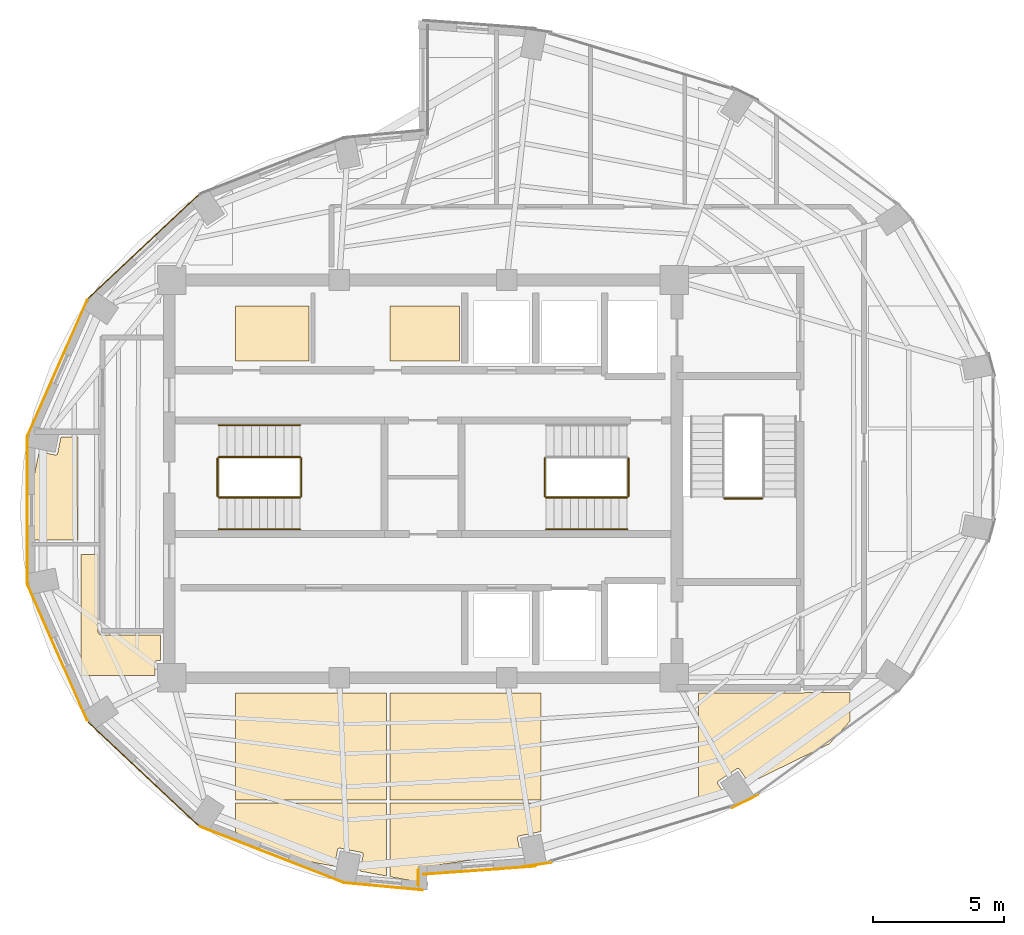
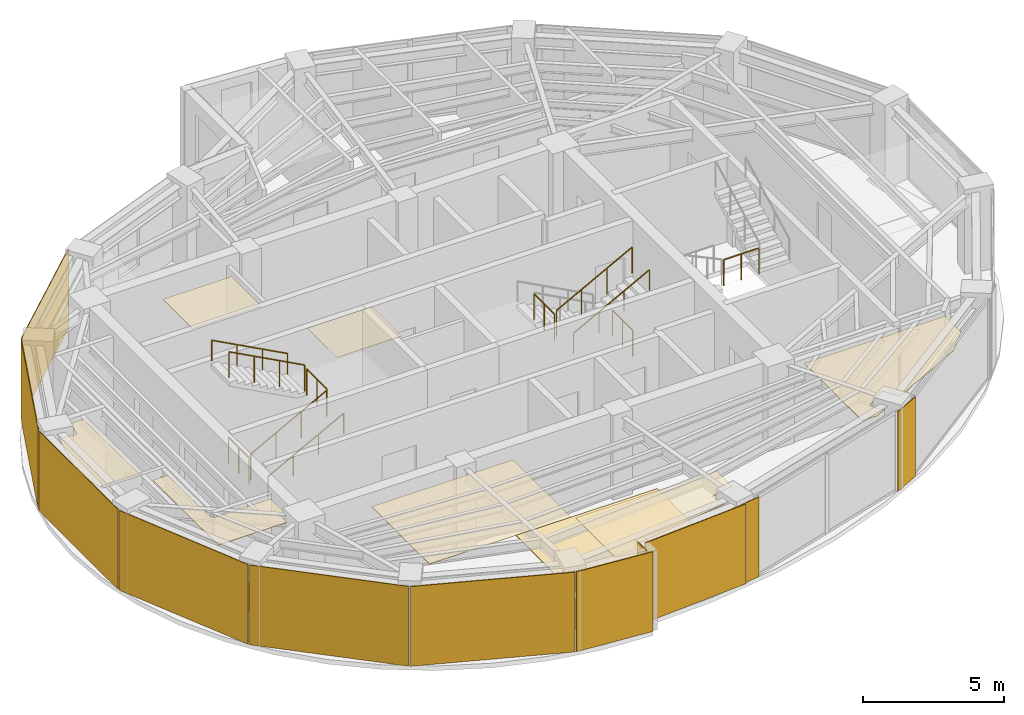
# One storey, part 12 of 13: 21 coverings, 11 railings.
"""IFC4 building model written with IfcOpenShell, lengths in metres."""

from ifc_helpers import new_model, si_unit, direction, frame, origin, origin_2d, place, context, subcontext, project, spatial, polyline, rectangle, circle, outline, extrude, material, layer, layer_set, type_object, element, save


model = new_model("IFC4")

# Units and contexts
model_context = context("Model", 3, precision=1e-05, world=origin(), true_north=direction((0.0, 1.0)))
body_context = subcontext(model_context, "Body", "Model", "MODEL_VIEW")
ifc_project = project(units=[si_unit("LENGTHUNIT", "METRE"), si_unit("AREAUNIT", "SQUARE_METRE"), si_unit("VOLUMEUNIT", "CUBIC_METRE"), si_unit("PLANEANGLEUNIT", "RADIAN"), si_unit("MASSUNIT", "GRAM", prefix="KILO")], contexts=[model_context])

# Site, building, storey
site_placement = place(None, origin())
site = spatial("IfcSite", under=ifc_project, at=site_placement, CompositionType="ELEMENT")
building_placement = place(site_placement, origin())
building = spatial("IfcBuilding", under=site, at=building_placement, Name="Lazwardi Medical Tower", CompositionType="ELEMENT")
storey_placement = place(building_placement, frame((0.0, 0.0, 295.152099609375)))
storey = spatial("IfcBuildingStorey", under=building, at=storey_placement, Name="L77", CompositionType="ELEMENT", Elevation=295.152099609375)

# Coverings
ifc_material_1 = material(Name="Anodised bronze aluminium cassette cladding", Category="aluminium")
ifc_layer_1 = layer(ifc_material_1, 0.030029296875)
ifc_layer_set_1 = layer_set([ifc_layer_1], Name="Anodised bronze aluminium cassette cladding")
covering_type_1 = type_object("IfcCoveringType", Name="COV-CLD-BRZ", PredefinedType="CLADDING", material=ifc_layer_set_1)
covering_1_placement = place(storey_placement, frame((40.3232421875, 13.25048828125, 0.0), z_axis=(0.0, 0.0, 1.0), x_axis=(0.989512431533, 0.144447733943, 0.0)))
element("IfcCovering", 1, at=covering_1_placement, inside=storey, type_object=covering_type_1, Name="L77 Mega-column bronze cassette cover M01", PredefinedType="CLADDING", context=body_context, shape_type="SweptSolid", body=[
    extrude(rectangle(XDim=1.188720703125, YDim=0.030029296875, at=origin_2d()), origin(), (0.0, 0.0, 1.0), 3.447998046875),
])
covering_2_placement = place(storey_placement, frame((48.311279296875, 15.6787109375, 0.0), z_axis=(0.0, 0.0, 1.0), x_axis=(0.897840141691, 0.440321564278, 0.0)))
element("IfcCovering", 2, at=covering_2_placement, inside=storey, type_object=covering_type_1, Name="L77 Mega-column bronze cassette cover M02", PredefinedType="CLADDING", context=body_context, shape_type="SweptSolid", body=[
    extrude(rectangle(XDim=1.110595703125, YDim=0.030029296875, at=origin_2d()), origin(), (0.0, 0.0, 1.0), 3.447998046875),
])
covering_3_placement = place(storey_placement, frame((25.31201171875, 36.870361328125, 0.0), z_axis=(0.0, 0.0, 1.0), x_axis=(-0.728254960063, -0.685306291481, 0.0)))
element("IfcCovering", 3, at=covering_3_placement, inside=storey, type_object=covering_type_1, Name="L77 West drum ceramic/bronze cladding", PredefinedType="CLADDING", context=body_context, shape_type="SweptSolid", body=[
    extrude(rectangle(XDim=5.78125, YDim=0.030029296875, at=origin_2d()), origin(), (0.0, 0.0, 1.0), 3.447998046875),
])
covering_4_placement = place(storey_placement, frame((22.032470703125, 32.25146484375, 0.0), z_axis=(0.0, 0.0, 1.0), x_axis=(-0.402877682365, -0.915253829848, 0.0)))
element("IfcCovering", 4, at=covering_4_placement, inside=storey, type_object=covering_type_1, Name="L77 West drum ceramic/bronze cladding", PredefinedType="CLADDING", context=body_context, shape_type="SweptSolid", body=[
    extrude(rectangle(XDim=5.65576171875, YDim=0.030029296875, at=origin_2d()), origin(), (0.0, 0.0, 1.0), 3.447998046875),
])
covering_5_placement = place(storey_placement, frame((20.880126953125, 26.800048828125, 0.0), z_axis=(0.0, 0.0, 1.0), x_axis=(0.0, -1.0, 0.0)))
element("IfcCovering", 5, at=covering_5_placement, inside=storey, type_object=covering_type_1, Name="L77 West drum ceramic/bronze cladding", PredefinedType="CLADDING", context=body_context, shape_type="SweptSolid", body=[
    extrude(rectangle(XDim=5.60302734375, YDim=0.030029296875, at=origin_2d()), origin(), (0.0, 0.0, 1.0), 3.447998046875),
])
covering_6_placement = place(storey_placement, frame((22.032470703125, 21.3486328125, 0.0), z_axis=(0.0, 0.0, 1.0), x_axis=(0.402877682365, -0.915253829848, 0.0)))
element("IfcCovering", 6, at=covering_6_placement, inside=storey, type_object=covering_type_1, Name="L77 West drum ceramic/bronze cladding", PredefinedType="CLADDING", context=body_context, shape_type="SweptSolid", body=[
    extrude(rectangle(XDim=5.65576171875, YDim=0.030029296875, at=origin_2d()), origin(), (0.0, 0.0, 1.0), 3.447998046875),
])
covering_7_placement = place(storey_placement, frame((25.31201171875, 16.7294921875, 0.0), z_axis=(0.0, 0.0, 1.0), x_axis=(0.728254960063, -0.685306291481, 0.0)))
element("IfcCovering", 7, at=covering_7_placement, inside=storey, type_object=covering_type_1, Name="L77 West drum ceramic/bronze cladding", PredefinedType="CLADDING", context=body_context, shape_type="SweptSolid", body=[
    extrude(rectangle(XDim=5.78125, YDim=0.030029296875, at=origin_2d()), origin(), (0.0, 0.0, 1.0), 3.447998046875),
])
ifc_material_2 = material(Name="Turquoise glazed ceramic tilework cladding", Category="masonry")
ifc_layer_2 = layer(ifc_material_2, 0.034912109375)
ifc_layer_set_2 = layer_set([ifc_layer_2], Name="Turquoise glazed ceramic tilework cladding")
covering_type_2 = type_object("IfcCoveringType", Name="COV-CLD-TRQ", PredefinedType="CLADDING", material=ifc_layer_set_2)
covering_8_placement = place(storey_placement, frame((30.216064453125, 13.64306640625, 0.0), z_axis=(0.0, 0.0, 1.0), x_axis=(0.931720388261, -0.363176428337, 0.0)))
element("IfcCovering", 8, at=covering_8_placement, inside=storey, type_object=covering_type_2, Name="L77 West drum ceramic/bronze cladding", PredefinedType="CLADDING", context=body_context, shape_type="SweptSolid", body=[
    extrude(rectangle(XDim=5.904052734375, YDim=0.034912109375, at=origin_2d()), origin(), (0.0, 0.0, 1.0), 3.447998046875),
])
covering_9_placement = place(storey_placement, frame((38.16259765625, 13.0400390625, 0.0), z_axis=(0.0, 0.0, 1.0), x_axis=(0.997409491337, 0.071932653157, 0.0)))
element("IfcCovering", 9, at=covering_9_placement, inside=storey, type_object=covering_type_2, Name="L77 Turquoise glazed ceramic tilework cladding", PredefinedType="CLADDING", context=body_context, shape_type="SweptSolid", body=[
    extrude(rectangle(XDim=4.31103515625, YDim=0.034912109375, at=origin_2d()), origin(), (0.0, 0.0, 1.0), 3.447998046875),
])
covering_10_placement = place(storey_placement, frame((34.4970703125, 12.423095703125, 0.0), z_axis=(0.0, 0.0, 1.0), x_axis=(0.995733560537, -0.092275004312, 0.0)))
element("IfcCovering", 10, at=covering_10_placement, inside=storey, type_object=covering_type_2, Name="L77 Turquoise glazed ceramic tilework cladding", PredefinedType="CLADDING", context=body_context, shape_type="SweptSolid", body=[
    extrude(rectangle(XDim=2.985595703125, YDim=0.034912109375, at=origin_2d()), origin(), (0.0, 0.0, 1.0), 3.447998046875),
])
covering_11_placement = place(storey_placement, frame((35.824462890625, 12.760009765625, 0.0), z_axis=(0.0, 0.0, 1.0), x_axis=(0.0, 1.0, 0.0)))
element("IfcCovering", 11, at=covering_11_placement, inside=storey, type_object=covering_type_2, Name="L77 Turquoise glazed ceramic tilework iwan panel", PredefinedType="CLADDING", context=body_context, shape_type="SweptSolid", body=[
    extrude(rectangle(XDim=0.60009765625, YDim=0.034912109375, at=origin_2d()), origin(), (0.0, 0.0, 1.0), 3.447998046875),
])
ifc_material_3 = material(Name="Acoustic mineral fibre tile")
ifc_layer_3 = layer(ifc_material_3, 0.02490234375)
ifc_layer_set_3 = layer_set([ifc_layer_3], Name="Acoustic mineral fibre tile")
covering_type_3 = type_object("IfcCoveringType", Name="COV-CLG-01", PredefinedType="CEILING", material=ifc_layer_set_3)
covering_12_placement = place(storey_placement, frame((0.0, 0.0, 3.302978515625)))
element("IfcCovering", 12, at=covering_12_placement, inside=storey, type_object=covering_type_3, Name="L77 Clinical Acoustic Ceiling 1", PredefinedType="CEILING", context=body_context, shape_type="SweptSolid", body=[
    extrude(outline(polyline([(22.811767578125, 29.60009765625), (22.164794921875, 29.60009765625), (22.0400390625, 28.97314453125), (22.0380859375, 28.965576171875), (22.035400390625, 28.9580078125), (22.031982421875, 28.950927734375), (22.028076171875, 28.9443359375), (22.023193359375, 28.93798828125), (22.01806640625, 28.93212890625), (22.01220703125, 28.927001953125), (22.005859375, 28.922119140625), (21.999267578125, 28.918212890625), (21.9921875, 28.914794921875), (21.984619140625, 28.912109375), (21.97705078125, 28.91015625), (21.96923828125, 28.9091796875), (21.96142578125, 28.90869140625), (21.95361328125, 28.9091796875), (21.94580078125, 28.91015625), (21.33349609375, 29.031982421875), (20.86181640625, 26.800048828125), (21.101806640625, 25.6650390625), (22.811767578125, 25.6650390625), (22.811767578125, 29.60009765625)])), origin(), (0.0, 0.0, 1.0), 0.02490234375),
])
covering_13_placement = place(storey_placement, frame((0.0, 0.0, 3.302978515625)))
element("IfcCovering", 13, at=covering_13_placement, inside=storey, type_object=covering_type_3, Name="L77 Clinical Acoustic Ceiling 2", PredefinedType="CEILING", context=body_context, shape_type="SweptSolid", body=[
    extrude(outline(polyline([(25.75, 20.476318359375), (25.75, 20.969970703125), (25.75048828125, 20.977783203125), (25.75146484375, 20.985595703125), (25.75341796875, 20.9931640625), (25.756103515625, 21.00048828125), (25.759521484375, 21.0078125), (25.763427734375, 21.014404296875), (25.768310546875, 21.020751953125), (25.7734375, 21.026611328125), (25.779296875, 21.03173828125), (25.78564453125, 21.03662109375), (25.792236328125, 21.04052734375), (25.79931640625, 21.0439453125), (25.806884765625, 21.046630859375), (25.814453125, 21.048583984375), (25.822265625, 21.049560546875), (25.830078125, 21.050048828125), (25.969970703125, 21.050048828125), (25.969970703125, 22.02490234375), (23.75, 22.02490234375), (23.74560546875, 22.025146484375), (23.736328125, 22.025634765625), (23.7294921875, 22.0263671875), (23.72021484375, 22.027587890625), (23.7119140625, 22.029296875), (23.702880859375, 22.031494140625), (23.69580078125, 22.03369140625), (23.68701171875, 22.03662109375), (23.67919921875, 22.0400390625), (23.6708984375, 22.0439453125), (23.6640625, 22.047607421875), (23.656005859375, 22.052490234375), (23.6494140625, 22.056884765625), (23.641845703125, 22.0625), (23.63623046875, 22.067138671875), (23.62939453125, 22.0732421875), (23.623291015625, 22.079345703125), (23.6171875, 22.086181640625), (23.612548828125, 22.091796875), (23.60693359375, 22.099365234375), (23.602294921875, 22.10595703125), (23.59765625, 22.114013671875), (23.593994140625, 22.120849609375), (23.590087890625, 22.129150390625), (23.586669921875, 22.136962890625), (23.58349609375, 22.145751953125), (23.58154296875, 22.15283203125), (23.5791015625, 22.161865234375), (23.57763671875, 22.17041015625), (23.576416015625, 22.179443359375), (23.57568359375, 22.186279296875), (23.5751953125, 22.19580078125), (23.574951171875, 22.199951171875), (23.574951171875, 25.1064453125), (22.931884765625, 25.1064453125), (22.931884765625, 20.476318359375), (25.75, 20.476318359375)])), origin(), (0.0, 0.0, 1.0), 0.02490234375),
])
covering_14_placement = place(storey_placement, frame((0.0, 0.0, 3.302978515625)))
element("IfcCovering", 14, at=covering_14_placement, inside=storey, type_object=covering_type_3, Name="L77 Clinical Acoustic Ceiling 4", PredefinedType="CEILING", context=body_context, shape_type="SweptSolid", body=[
    extrude(outline(polyline([(34.61181640625, 19.820068359375), (28.831787109375, 19.820068359375), (28.831787109375, 15.726318359375), (34.61181640625, 15.726318359375), (34.61181640625, 19.820068359375)])), origin(), (0.0, 0.0, 1.0), 0.02490234375),
])
covering_15_placement = place(storey_placement, frame((0.0, 0.0, 3.302978515625)))
element("IfcCovering", 15, at=covering_15_placement, inside=storey, type_object=covering_type_3, Name="L77 Clinical Acoustic Ceiling 5", PredefinedType="CEILING", context=body_context, shape_type="SweptSolid", body=[
    extrude(outline(polyline([(28.831787109375, 32.5), (31.639892578125, 32.5), (31.639892578125, 34.6064453125), (28.831787109375, 34.6064453125), (28.831787109375, 32.5)])), origin(), (0.0, 0.0, 1.0), 0.02490234375),
])
covering_16_placement = place(storey_placement, frame((0.0, 0.0, 3.302978515625)))
element("IfcCovering", 16, at=covering_16_placement, inside=storey, type_object=covering_type_3, Name="L77 Clinical Acoustic Ceiling 6", PredefinedType="CEILING", context=body_context, shape_type="SweptSolid", body=[
    extrude(outline(polyline([(34.731689453125, 12.798583984375), (35.919921875, 12.576416015625), (35.919921875, 13.080078125), (35.92041015625, 13.087646484375), (35.92138671875, 13.09521484375), (35.923095703125, 13.1025390625), (35.92578125, 13.109619140625), (35.928955078125, 13.11669921875), (35.9326171875, 13.123291015625), (35.93701171875, 13.12939453125), (35.94189453125, 13.13525390625), (35.947509765625, 13.140380859375), (35.95361328125, 13.14501953125), (35.9599609375, 13.149169921875), (35.966796875, 13.152587890625), (35.9736328125, 13.155517578125), (35.98095703125, 13.15771484375), (35.988525390625, 13.1591796875), (39.723876953125, 13.703125), (39.6123046875, 14.26318359375), (39.611328125, 14.27099609375), (39.61083984375, 14.27880859375), (39.611328125, 14.28662109375), (39.6123046875, 14.29443359375), (39.6142578125, 14.302001953125), (39.616943359375, 14.309326171875), (39.620361328125, 14.31640625), (39.62451171875, 14.3232421875), (39.629150390625, 14.32958984375), (39.63427734375, 14.33544921875), (39.64013671875, 14.340576171875), (39.646484375, 14.34521484375), (39.6533203125, 14.349365234375), (39.660400390625, 14.352783203125), (39.667724609375, 14.35546875), (39.67529296875, 14.357421875), (40.4990234375, 14.521240234375), (40.5068359375, 14.522216796875), (40.51171875, 14.522705078125), (40.51171875, 15.6064453125), (34.731689453125, 15.6064453125), (34.731689453125, 12.798583984375)])), origin(), (0.0, 0.0, 1.0), 0.02490234375),
])
covering_17_placement = place(storey_placement, frame((0.0, 0.0, 3.302978515625)))
element("IfcCovering", 17, at=covering_17_placement, inside=storey, type_object=covering_type_3, Name="L77 Clinical Acoustic Ceiling 8", PredefinedType="CEILING", context=body_context, shape_type="SweptSolid", body=[
    extrude(outline(polyline([(52.311767578125, 19.844970703125), (50.60791015625, 19.844970703125), (50.606689453125, 19.843505859375), (50.600830078125, 19.838134765625), (50.594482421875, 19.83349609375), (50.587646484375, 19.829345703125), (50.58056640625, 19.826171875), (50.5732421875, 19.823486328125), (50.565673828125, 19.821533203125), (50.557861328125, 19.8203125), (50.550048828125, 19.820068359375), (46.53173828125, 19.820068359375), (46.53173828125, 15.726318359375), (47.146240234375, 15.726318359375), (47.5478515625, 15.9228515625), (47.267822265625, 16.342041015625), (47.263916015625, 16.348876953125), (47.260498046875, 16.35595703125), (47.2578125, 16.36328125), (47.255859375, 16.370849609375), (47.2548828125, 16.378662109375), (47.25439453125, 16.386474609375), (47.2548828125, 16.394287109375), (47.255859375, 16.402099609375), (47.2578125, 16.40966796875), (47.260498046875, 16.4169921875), (47.263916015625, 16.42431640625), (47.267822265625, 16.430908203125), (47.272705078125, 16.437255859375), (47.27783203125, 16.443115234375), (47.28369140625, 16.4482421875), (47.2900390625, 16.452880859375), (47.98828125, 16.919677734375), (47.9951171875, 16.923828125), (48.002197265625, 16.927001953125), (48.009521484375, 16.9296875), (48.01708984375, 16.931640625), (48.02490234375, 16.932861328125), (48.03271484375, 16.93310546875), (48.04052734375, 16.932861328125), (48.04833984375, 16.931640625), (48.055908203125, 16.9296875), (48.0634765625, 16.927001953125), (48.070556640625, 16.923828125), (48.0771484375, 16.919677734375), (48.08349609375, 16.9150390625), (48.08935546875, 16.909912109375), (48.094482421875, 16.904052734375), (48.099365234375, 16.897705078125), (48.454345703125, 16.3662109375), (51.521728515625, 17.86669921875), (52.311767578125, 18.732177734375), (52.311767578125, 19.844970703125)])), origin(), (0.0, 0.0, 1.0), 0.02490234375),
])
ifc_material_4 = material(Name="Anti-static hospital vinyl sheet flooring")
ifc_layer_4 = layer(ifc_material_4, 0.014892578125)
ifc_layer_set_4 = layer_set([ifc_layer_4], Name="Anti-static hospital vinyl sheet flooring")
covering_type_4 = type_object("IfcCoveringType", Name="COV-FLR-01", PredefinedType="FLOORING", material=ifc_layer_set_4)
covering_18_placement = place(storey_placement, origin())
element("IfcCovering", 18, at=covering_18_placement, inside=storey, type_object=covering_type_4, Name="L77 Clinical Vinyl Flooring 1", PredefinedType="FLOORING", context=body_context, shape_type="SweptSolid", body=[
    extrude(outline(polyline([(25.75, 20.476318359375), (25.75, 20.969970703125), (25.75048828125, 20.977783203125), (25.75146484375, 20.985595703125), (25.75341796875, 20.9931640625), (25.756103515625, 21.00048828125), (25.759521484375, 21.0078125), (25.763427734375, 21.014404296875), (25.768310546875, 21.020751953125), (25.7734375, 21.026611328125), (25.779296875, 21.03173828125), (25.78564453125, 21.03662109375), (25.792236328125, 21.04052734375), (25.79931640625, 21.0439453125), (25.806884765625, 21.046630859375), (25.814453125, 21.048583984375), (25.822265625, 21.049560546875), (25.830078125, 21.050048828125), (25.969970703125, 21.050048828125), (25.969970703125, 22.02490234375), (23.75, 22.02490234375), (23.74560546875, 22.025146484375), (23.736328125, 22.025634765625), (23.7294921875, 22.0263671875), (23.72021484375, 22.027587890625), (23.7119140625, 22.029296875), (23.702880859375, 22.031494140625), (23.69580078125, 22.03369140625), (23.68701171875, 22.03662109375), (23.67919921875, 22.0400390625), (23.6708984375, 22.0439453125), (23.6640625, 22.047607421875), (23.656005859375, 22.052490234375), (23.6494140625, 22.056884765625), (23.641845703125, 22.0625), (23.63623046875, 22.067138671875), (23.62939453125, 22.0732421875), (23.623291015625, 22.079345703125), (23.6171875, 22.086181640625), (23.612548828125, 22.091796875), (23.60693359375, 22.099365234375), (23.602294921875, 22.10595703125), (23.59765625, 22.114013671875), (23.593994140625, 22.120849609375), (23.590087890625, 22.129150390625), (23.586669921875, 22.136962890625), (23.58349609375, 22.145751953125), (23.58154296875, 22.15283203125), (23.5791015625, 22.161865234375), (23.57763671875, 22.17041015625), (23.576416015625, 22.179443359375), (23.57568359375, 22.186279296875), (23.5751953125, 22.19580078125), (23.574951171875, 22.199951171875), (23.574951171875, 25.1064453125), (22.931884765625, 25.1064453125), (22.931884765625, 20.476318359375), (25.75, 20.476318359375)])), origin(), (0.0, 0.0, 1.0), 0.014892578125),
])
covering_19_placement = place(storey_placement, origin())
element("IfcCovering", 19, at=covering_19_placement, inside=storey, type_object=covering_type_4, Name="L77 Clinical Vinyl Flooring 3", PredefinedType="FLOORING", context=body_context, shape_type="SweptSolid", body=[
    extrude(outline(polyline([(28.831787109375, 14.50927734375), (30.205322265625, 13.645751953125), (32.608642578125, 13.196044921875), (32.7333984375, 13.82373046875), (32.7353515625, 13.831298828125), (32.738037109375, 13.838623046875), (32.741455078125, 13.845703125), (32.74560546875, 13.8525390625), (32.750244140625, 13.85888671875), (32.75537109375, 13.86474609375), (32.76123046875, 13.869873046875), (32.767578125, 13.87451171875), (32.7744140625, 13.878662109375), (32.781494140625, 13.882080078125), (32.788818359375, 13.884765625), (32.79638671875, 13.88671875), (32.80419921875, 13.8876953125), (32.81201171875, 13.88818359375), (32.81982421875, 13.8876953125), (32.82763671875, 13.88671875), (33.6513671875, 13.72265625), (33.658935546875, 13.720703125), (33.66650390625, 13.718017578125), (33.673583984375, 13.71484375), (33.68017578125, 13.710693359375), (33.6865234375, 13.7060546875), (33.6923828125, 13.70068359375), (33.697509765625, 13.695068359375), (33.702392578125, 13.688720703125), (33.706298828125, 13.681884765625), (33.709716796875, 13.6748046875), (33.71240234375, 13.66748046875), (33.71435546875, 13.659912109375), (33.71533203125, 13.652099609375), (33.7158203125, 13.644287109375), (33.71533203125, 13.636474609375), (33.71435546875, 13.628662109375), (33.591552734375, 13.01220703125), (34.61181640625, 12.8212890625), (34.61181640625, 15.6064453125), (28.831787109375, 15.6064453125), (28.831787109375, 14.50927734375)])), origin(), (0.0, 0.0, 1.0), 0.014892578125),
])
covering_20_placement = place(storey_placement, origin())
element("IfcCovering", 20, at=covering_20_placement, inside=storey, type_object=covering_type_4, Name="L77 Clinical Vinyl Flooring 5", PredefinedType="FLOORING", context=body_context, shape_type="SweptSolid", body=[
    extrude(outline(polyline([(40.51171875, 19.820068359375), (34.731689453125, 19.820068359375), (34.731689453125, 15.726318359375), (40.51171875, 15.726318359375), (40.51171875, 19.820068359375)])), origin(), (0.0, 0.0, 1.0), 0.014892578125),
])
covering_21_placement = place(storey_placement, origin())
element("IfcCovering", 21, at=covering_21_placement, inside=storey, type_object=covering_type_4, Name="L77 Clinical Vinyl Flooring 6", PredefinedType="FLOORING", context=body_context, shape_type="SweptSolid", body=[
    extrude(outline(polyline([(34.731689453125, 32.5), (37.389892578125, 32.5), (37.389892578125, 34.6064453125), (34.731689453125, 34.6064453125), (34.731689453125, 32.5)])), origin(), (0.0, 0.0, 1.0), 0.014892578125),
])

# Railings
ifc_material_5 = material(Name="Stainless steel Grade 316", Category="steel")
railing_type_1 = type_object("IfcRailingType", Name="RLG-GRD-1150", PredefinedType="GUARDRAIL", material=ifc_material_5)
railing_1_placement = place(storey_placement, frame((28.199951171875, 27.2900390625, 0.165771484375)))
element("IfcRailing", 22, at=railing_1_placement, inside=storey, type_object=railing_type_1, Name="L77 ST1 stair guard 1", PredefinedType="GUARDRAIL", context=body_context, shape_type="SweptSolid", body=[
    extrude(circle(Radius=0.02392578125, at=origin_2d()), frame((0.0, 0.0, 1.1259765625), z_axis=(0.881783298633, 0.0, 0.471654761719), x_axis=(0.0, 1.0, 0.0)), (0.0, 0.0, 1.0), 3.515625),
    extrude(circle(Radius=0.02099609375, at=origin_2d()), origin(), (0.0, 0.0, 1.0), 1.099853515625),
    extrude(circle(Radius=0.02099609375, at=origin_2d()), frame((1.033447265625, 0.0, 0.552734375)), (0.0, 0.0, 1.0), 1.099853515625),
    extrude(circle(Radius=0.02099609375, at=origin_2d()), frame((2.066650390625, 0.0, 1.10546875)), (0.0, 0.0, 1.0), 1.099853515625),
    extrude(circle(Radius=0.02099609375, at=origin_2d()), frame((3.10009765625, 0.0, 1.658203125)), (0.0, 0.0, 1.0), 1.099853515625),
])
railing_2_placement = place(storey_placement, frame((31.35009765625, 27.340087890625, 1.823974609375)))
element("IfcRailing", 23, at=railing_2_placement, inside=storey, type_object=railing_type_1, Name="L77 ST1 stair guard 2", PredefinedType="GUARDRAIL", context=body_context, shape_type="SweptSolid", body=[
    extrude(circle(Radius=0.02392578125, at=origin_2d()), frame((0.0, 0.0, 1.1259765625), z_axis=(0.0, 1.0, 0.0), x_axis=(-1.0, 0.0, 0.0)), (0.0, 0.0, 1.0), 1.43994140625),
    extrude(circle(Radius=0.02099609375, at=origin_2d()), origin(), (0.0, 0.0, 1.0), 1.099853515625),
    extrude(circle(Radius=0.02099609375, at=origin_2d()), frame((0.0, 0.719970703125, 0.0)), (0.0, 0.0, 1.0), 1.099853515625),
    extrude(circle(Radius=0.02099609375, at=origin_2d()), frame((0.0, 1.43994140625, 0.0)), (0.0, 0.0, 1.0), 1.099853515625),
])
railing_3_placement = place(storey_placement, frame((31.300048828125, 28.830078125, 1.98974609375)))
element("IfcRailing", 24, at=railing_3_placement, inside=storey, type_object=railing_type_1, Name="L77 ST1 stair guard 3", PredefinedType="GUARDRAIL", context=body_context, shape_type="SweptSolid", body=[
    extrude(circle(Radius=0.02392578125, at=origin_2d()), frame((0.0, 0.0, 1.1259765625), z_axis=(-0.881783298633, 0.0, 0.471654761719), x_axis=(0.0, -1.0, 0.0)), (0.0, 0.0, 1.0), 3.515625),
    extrude(circle(Radius=0.02099609375, at=origin_2d()), origin(), (0.0, 0.0, 1.0), 1.099853515625),
    extrude(circle(Radius=0.02099609375, at=origin_2d()), frame((-1.033447265625, 0.0, 0.552734375)), (0.0, 0.0, 1.0), 1.099853515625),
    extrude(circle(Radius=0.02099609375, at=origin_2d()), frame((-2.066650390625, 0.0, 1.10546875)), (0.0, 0.0, 1.0), 1.099853515625),
    extrude(circle(Radius=0.02099609375, at=origin_2d()), frame((-3.10009765625, 0.0, 1.658203125)), (0.0, 0.0, 1.0), 1.099853515625),
])
railing_4_placement = place(storey_placement, frame((28.14990234375, 27.340087890625, 0.0)))
element("IfcRailing", 25, at=railing_4_placement, inside=storey, type_object=railing_type_1, Name="L77 ST1 stair guard 4", PredefinedType="GUARDRAIL", context=body_context, shape_type="SweptSolid", body=[
    extrude(circle(Radius=0.02392578125, at=origin_2d()), frame((0.0, 0.0, 1.1259765625), z_axis=(0.0, 1.0, 0.0), x_axis=(-1.0, 0.0, 0.0)), (0.0, 0.0, 1.0), 1.43994140625),
    extrude(circle(Radius=0.02099609375, at=origin_2d()), origin(), (0.0, 0.0, 1.0), 1.099853515625),
    extrude(circle(Radius=0.02099609375, at=origin_2d()), frame((0.0, 0.719970703125, 0.0)), (0.0, 0.0, 1.0), 1.099853515625),
    extrude(circle(Radius=0.02099609375, at=origin_2d()), frame((0.0, 1.43994140625, 0.0)), (0.0, 0.0, 1.0), 1.099853515625),
])
railing_5_placement = place(storey_placement, frame((40.64990234375, 28.780029296875, 1.823974609375)))
element("IfcRailing", 26, at=railing_5_placement, inside=storey, type_object=railing_type_1, Name="L77 ST2 stair guard 2", PredefinedType="GUARDRAIL", context=body_context, shape_type="SweptSolid", body=[
    extrude(circle(Radius=0.02392578125, at=origin_2d()), frame((0.0, 0.0, 1.1259765625), z_axis=(0.0, -1.0, 0.0), x_axis=(1.0, 0.0, 0.0)), (0.0, 0.0, 1.0), 1.43994140625),
    extrude(circle(Radius=0.02099609375, at=origin_2d()), origin(), (0.0, 0.0, 1.0), 1.099853515625),
    extrude(circle(Radius=0.02099609375, at=origin_2d()), frame((0.0, -0.719970703125, 0.0)), (0.0, 0.0, 1.0), 1.099853515625),
    extrude(circle(Radius=0.02099609375, at=origin_2d()), frame((0.0, -1.43994140625, 0.0)), (0.0, 0.0, 1.0), 1.099853515625),
])
railing_6_placement = place(storey_placement, frame((40.699951171875, 27.2900390625, 1.98974609375)))
element("IfcRailing", 27, at=railing_6_placement, inside=storey, type_object=railing_type_1, Name="L77 ST2 stair guard 3", PredefinedType="GUARDRAIL", context=body_context, shape_type="SweptSolid", body=[
    extrude(circle(Radius=0.02392578125, at=origin_2d()), frame((0.0, 0.0, 1.1259765625), z_axis=(0.881783298633, 0.0, 0.471654761719), x_axis=(0.0, 1.0, 0.0)), (0.0, 0.0, 1.0), 3.515625),
    extrude(circle(Radius=0.02099609375, at=origin_2d()), origin(), (0.0, 0.0, 1.0), 1.099853515625),
    extrude(circle(Radius=0.02099609375, at=origin_2d()), frame((1.033447265625, 0.0, 0.552734375)), (0.0, 0.0, 1.0), 1.099853515625),
    extrude(circle(Radius=0.02099609375, at=origin_2d()), frame((2.066650390625, 0.0, 1.10546875)), (0.0, 0.0, 1.0), 1.099853515625),
    extrude(circle(Radius=0.02099609375, at=origin_2d()), frame((3.10009765625, 0.0, 1.658203125)), (0.0, 0.0, 1.0), 1.099853515625),
])
railing_7_placement = place(storey_placement, frame((43.85009765625, 28.780029296875, 0.0)))
element("IfcRailing", 28, at=railing_7_placement, inside=storey, type_object=railing_type_1, Name="L77 ST2 stair guard 4", PredefinedType="GUARDRAIL", context=body_context, shape_type="SweptSolid", body=[
    extrude(circle(Radius=0.02392578125, at=origin_2d()), frame((0.0, 0.0, 1.1259765625), z_axis=(0.0, -1.0, 0.0), x_axis=(1.0, 0.0, 0.0)), (0.0, 0.0, 1.0), 1.43994140625),
    extrude(circle(Radius=0.02099609375, at=origin_2d()), origin(), (0.0, 0.0, 1.0), 1.099853515625),
    extrude(circle(Radius=0.02099609375, at=origin_2d()), frame((0.0, -0.719970703125, 0.0)), (0.0, 0.0, 1.0), 1.099853515625),
    extrude(circle(Radius=0.02099609375, at=origin_2d()), frame((0.0, -1.43994140625, 0.0)), (0.0, 0.0, 1.0), 1.099853515625),
])
railing_8_placement = place(storey_placement, frame((47.52001953125, 27.25, 1.823974609375)))
element("IfcRailing", 29, at=railing_8_placement, inside=storey, type_object=railing_type_1, Name="L77 ST3 stair guard 2", PredefinedType="GUARDRAIL", context=body_context, shape_type="SweptSolid", body=[
    extrude(circle(Radius=0.02392578125, at=origin_2d()), frame((0.0, 0.0, 1.1259765625), z_axis=(1.0, 0.0, 0.0), x_axis=(0.0, 1.0, 0.0)), (0.0, 0.0, 1.0), 1.43994140625),
    extrude(circle(Radius=0.02099609375, at=origin_2d()), origin(), (0.0, 0.0, 1.0), 1.099853515625),
    extrude(circle(Radius=0.02099609375, at=origin_2d()), frame((0.719970703125, 0.0, 0.0)), (0.0, 0.0, 1.0), 1.099853515625),
    extrude(circle(Radius=0.02099609375, at=origin_2d()), frame((1.43994140625, 0.0, 0.0)), (0.0, 0.0, 1.0), 1.099853515625),
])
railing_type_2 = type_object("IfcRailingType", Name="RLG-HND-920", PredefinedType="HANDRAIL", material=ifc_material_5)
railing_9_placement = place(storey_placement, frame((28.199951171875, 26.070068359375, 0.165771484375)))
element("IfcRailing", 30, at=railing_9_placement, inside=storey, type_object=railing_type_2, Name="L77 ST1 stair handrail 1", PredefinedType="HANDRAIL", context=body_context, shape_type="SweptSolid", body=[
    extrude(circle(Radius=0.02392578125, at=origin_2d()), frame((0.0, 0.0, 0.8857421875), z_axis=(0.881783298633, 0.0, 0.471654761719), x_axis=(0.0, 1.0, 0.0)), (0.0, 0.0, 1.0), 3.515625),
    extrude(circle(Radius=0.02099609375, at=origin_2d()), origin(), (0.0, 0.0, 1.0), 0.85986328125),
    extrude(circle(Radius=0.02099609375, at=origin_2d()), frame((1.033447265625, 0.0, 0.552734375)), (0.0, 0.0, 1.0), 0.85986328125),
    extrude(circle(Radius=0.02099609375, at=origin_2d()), frame((2.066650390625, 0.0, 1.10546875)), (0.0, 0.0, 1.0), 0.85986328125),
    extrude(circle(Radius=0.02099609375, at=origin_2d()), frame((3.10009765625, 0.0, 1.658203125)), (0.0, 0.0, 1.0), 0.85986328125),
])
railing_10_placement = place(storey_placement, frame((31.300048828125, 30.050048828125, 1.98974609375)))
element("IfcRailing", 31, at=railing_10_placement, inside=storey, type_object=railing_type_2, Name="L77 ST1 stair handrail 2", PredefinedType="HANDRAIL", context=body_context, shape_type="SweptSolid", body=[
    extrude(circle(Radius=0.02392578125, at=origin_2d()), frame((0.0, 0.0, 0.8857421875), z_axis=(-0.881783298633, 0.0, 0.471654761719), x_axis=(0.0, -1.0, 0.0)), (0.0, 0.0, 1.0), 3.515625),
    extrude(circle(Radius=0.02099609375, at=origin_2d()), origin(), (0.0, 0.0, 1.0), 0.85986328125),
    extrude(circle(Radius=0.02099609375, at=origin_2d()), frame((-1.033447265625, 0.0, 0.552734375)), (0.0, 0.0, 1.0), 0.85986328125),
    extrude(circle(Radius=0.02099609375, at=origin_2d()), frame((-2.066650390625, 0.0, 1.10546875)), (0.0, 0.0, 1.0), 0.85986328125),
    extrude(circle(Radius=0.02099609375, at=origin_2d()), frame((-3.10009765625, 0.0, 1.658203125)), (0.0, 0.0, 1.0), 0.85986328125),
])
railing_11_placement = place(storey_placement, frame((40.699951171875, 26.070068359375, 1.98974609375)))
element("IfcRailing", 32, at=railing_11_placement, inside=storey, type_object=railing_type_2, Name="L77 ST2 stair handrail 2", PredefinedType="HANDRAIL", context=body_context, shape_type="SweptSolid", body=[
    extrude(circle(Radius=0.02392578125, at=origin_2d()), frame((0.0, 0.0, 0.8857421875), z_axis=(0.881783298633, 0.0, 0.471654761719), x_axis=(0.0, 1.0, 0.0)), (0.0, 0.0, 1.0), 3.515625),
    extrude(circle(Radius=0.02099609375, at=origin_2d()), origin(), (0.0, 0.0, 1.0), 0.85986328125),
    extrude(circle(Radius=0.02099609375, at=origin_2d()), frame((1.033447265625, 0.0, 0.552734375)), (0.0, 0.0, 1.0), 0.85986328125),
    extrude(circle(Radius=0.02099609375, at=origin_2d()), frame((2.066650390625, 0.0, 1.10546875)), (0.0, 0.0, 1.0), 0.85986328125),
    extrude(circle(Radius=0.02099609375, at=origin_2d()), frame((3.10009765625, 0.0, 1.658203125)), (0.0, 0.0, 1.0), 0.85986328125),
])

save(model, "model.ifc")
